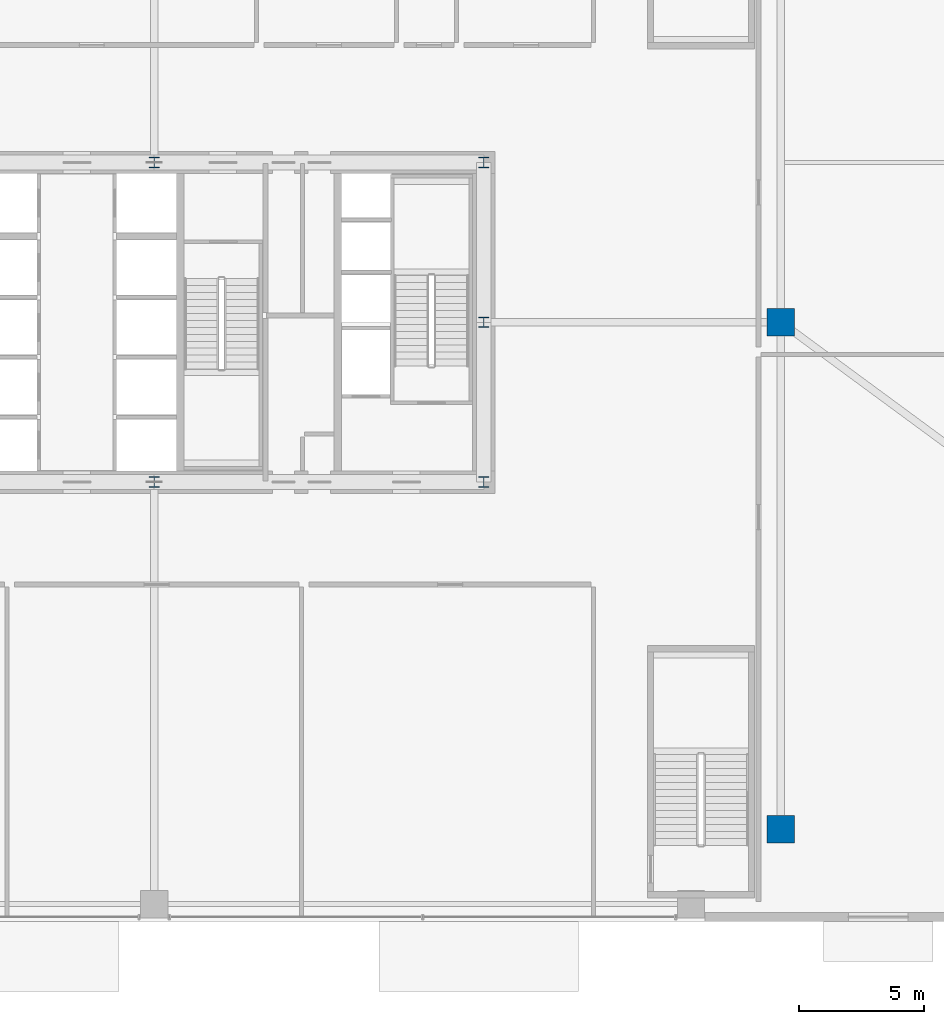
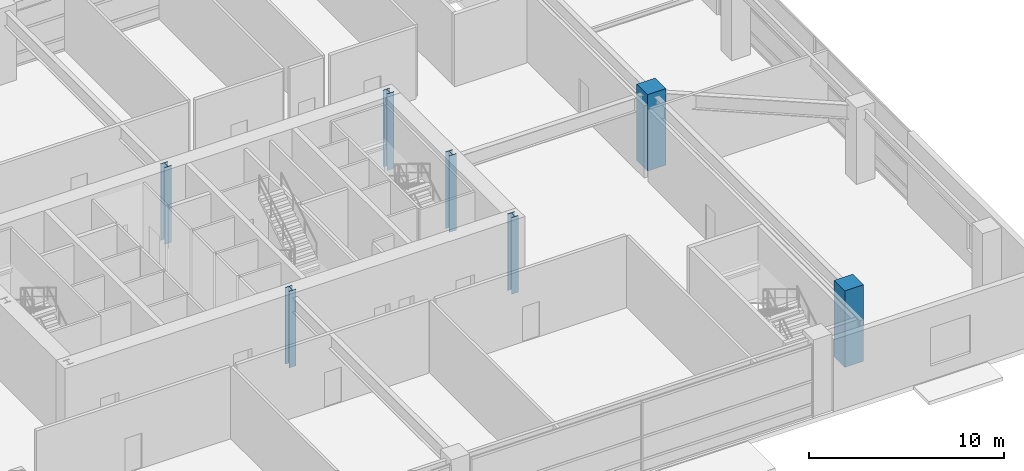
# One storey, part 2 of 37: 7 columns.
"""IFC4 building model written with IfcOpenShell, lengths in metres."""

from ifc_helpers import new_model, si_unit, direction, frame, origin, origin_2d, place, context, subcontext, project, spatial, rectangle, i_section, extrude, source, transform, mapped, material, material_profile, profile_set, type_object, element, save


model = new_model("IFC4")

# Units and contexts
model_context = context("Model", 3, precision=1e-05, world=origin(), true_north=direction((0.0, 1.0)))
body_context = subcontext(model_context, "Body", "Model", "MODEL_VIEW")
ifc_project = project(units=[si_unit("LENGTHUNIT", "METRE"), si_unit("AREAUNIT", "SQUARE_METRE"), si_unit("VOLUMEUNIT", "CUBIC_METRE"), si_unit("PLANEANGLEUNIT", "RADIAN"), si_unit("MASSUNIT", "GRAM", prefix="KILO"), si_unit("THERMODYNAMICTEMPERATUREUNIT", "KELVIN"), si_unit("POWERUNIT", "WATT")], contexts=[model_context])

# Site, building, storey
site_placement = place(None, origin())
site = spatial("IfcSite", under=ifc_project, at=site_placement, CompositionType="ELEMENT")
building_placement = place(site_placement, origin())
building = spatial("IfcBuilding", under=site, at=building_placement, Name="Yuzanri Waterfront Tower", CompositionType="ELEMENT")
storey_placement = place(building_placement, frame((0.0, 0.0, 5.39990234375)))
storey = spatial("IfcBuildingStorey", under=building, at=storey_placement, Name="L02", CompositionType="ELEMENT", Elevation=5.39990234375)

# Columns
ifc_material_1 = material(Name="Steel Q355B", Category="steel")
ifc_material_profile_1 = material_profile(ifc_material_1, i_section(OverallWidth=0.406982421875, OverallDepth=0.427978515625, WebThickness=0.02001953125, FlangeThickness=0.034912109375, at=origin_2d()), Name="HW 428x407x20x35")
ifc_profile_set_1 = profile_set([ifc_material_profile_1], Name="Steel Q355B")
column_type_1 = type_object("IfcColumnType", Name="Core Post Q355B HW 428x407x20x35", PredefinedType="COLUMN", material=ifc_profile_set_1)
shared_shape_1 = source(origin(), body_context, "Body", "SweptSolid", [
    extrude(i_section(OverallWidth=0.406982421875, OverallDepth=0.427978515625, WebThickness=0.02001953125, FlangeThickness=0.034912109375, at=origin_2d()), origin(), (0.0, 0.0, 1.0), 4.800048828125),
])
for number, where, z_axis, x_axis, name in (
    (1, (37.0, 19.39990234375, 0.0), (0.0, 0.0, 1.0), (1.0, 0.0, 0.0), "L02 Core Boundary Column CP2"),
    (2, (50.199951171875, 19.39990234375, 0.0), (0.0, 0.0, 1.0), (1.0, 0.0, 0.0), "L02 Core Boundary Column CP3"),
    (3, (50.199951171875, 25.800048828125, 0.0), (0.0, 0.0, 1.0), (1.0, 0.0, 0.0), "L02 Core Boundary Column CP5"),
    (4, (37.0, 32.199951171875, 0.0), (0.0, 0.0, 1.0), (1.0, 0.0, 0.0), "L02 Core Boundary Column CP7"),
    (5, (50.199951171875, 32.199951171875, 0.0), (0.0, 0.0, 1.0), (1.0, 0.0, 0.0), "L02 Core Boundary Column CP8"),
):
    element("IfcColumn", number, at=place(storey_placement, frame(where, z_axis=z_axis, x_axis=x_axis)), inside=storey, type_object=column_type_1, Name=name, PredefinedType="COLUMN", context=body_context, shape_type="MappedRepresentation", body=[
        mapped(shared_shape_1, transform((0.0, 0.0, 0.0), scale=1.0)),
    ])
ifc_material_2 = material(Name="Concrete C50", Category="concrete")
ifc_material_profile_2 = material_profile(ifc_material_2, rectangle(XDim=1.10009765625, YDim=1.10009765625, at=origin_2d()), Name="RC 1100x1100")
ifc_profile_set_2 = profile_set([ifc_material_profile_2], Name="Concrete C50")
column_type_2 = type_object("IfcColumnType", Name="Podium RC Column C50 1100x1100", PredefinedType="COLUMN", material=ifc_profile_set_2)
shared_shape_2 = source(origin(), body_context, "Body", "SweptSolid", [
    extrude(rectangle(XDim=1.10009765625, YDim=1.10009765625, at=origin_2d()), origin(), (0.0, 0.0, 1.0), 4.800048828125),
])
for number, where, z_axis, x_axis, name in (
    (6, (62.10009765625, 5.5, 0.0), (0.0, 0.0, 1.0), (1.0, 0.0, 0.0), "L02 Podium Column PTE1"),
    (7, (62.10009765625, 25.800048828125, 0.0), (0.0, 0.0, 1.0), (1.0, 0.0, 0.0), "L02 Podium Column PTE2"),
):
    element("IfcColumn", number, at=place(storey_placement, frame(where, z_axis=z_axis, x_axis=x_axis)), inside=storey, type_object=column_type_2, Name=name, PredefinedType="COLUMN", context=body_context, shape_type="MappedRepresentation", body=[
        mapped(shared_shape_2, transform((0.0, 0.0, 0.0), scale=1.0)),
    ])

save(model, "model.ifc")
